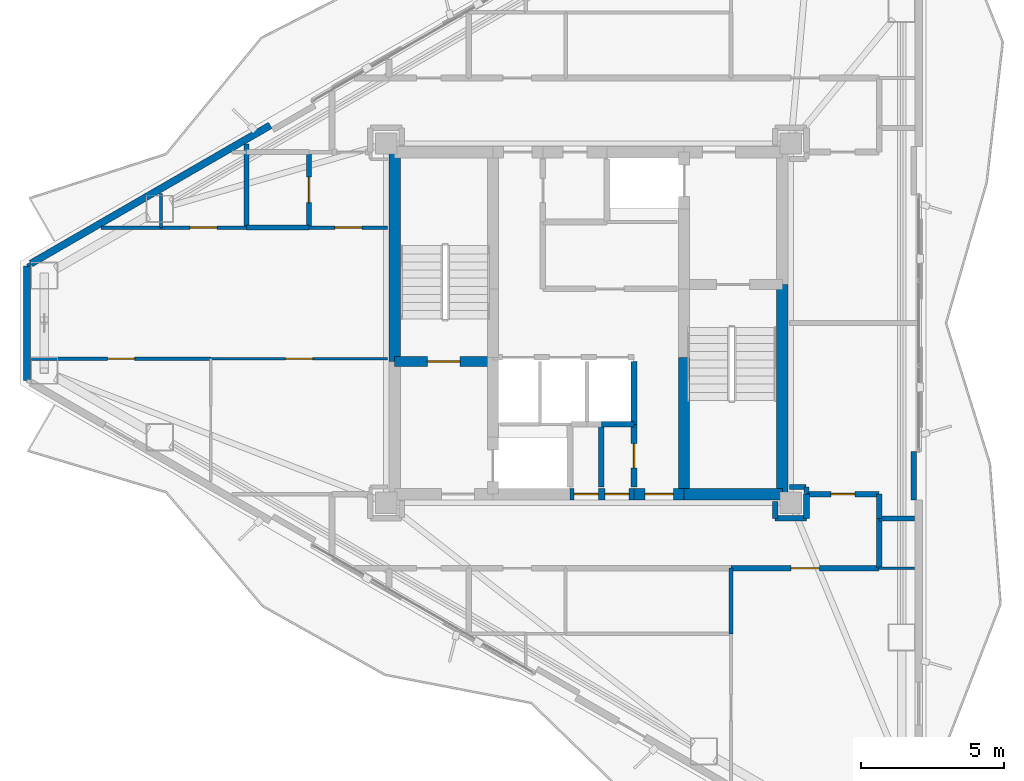
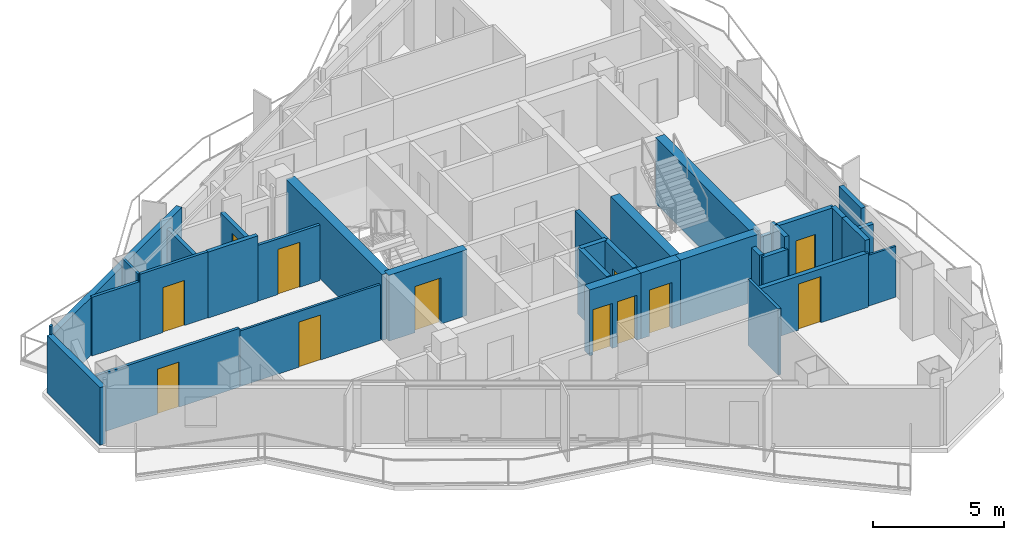
# One storey, part 17 of 22: 36 walls, 12 doors, 12 openings.
"""IFC4 building model written with IfcOpenShell, lengths in metres."""

import ifcopenshell
import ifcopenshell.guid

model = None  # the IFC model being written
_history = None  # IfcOwnerHistory: only IFC2X3 demands one
_inside = {}  # id of a spatial element -> (the spatial element, [elements in it])
_under = {}  # id of a project, library or spatial element -> (it, [spatial elements below it])
_declared = {}  # id of a project -> (the project, [libraries it declares])
_typed = {}  # id of a type object -> (the type object, [elements of that type])
_made_of = {}  # id of a material, layer set ... -> (it, [elements and type objects made of it])


def new_model(schema):
    """Start an empty IFC model of exactly this schema.

    Asked for "IFC4X3", IfcOpenShell would pick the latest addendum, in which some entities
    have other attributes; the version numbers below select the first issue.
    IFC2X3 requires an IfcOwnerHistory on every rooted entity: one is made here for all.
    """
    global model, _history
    if schema == "IFC4X3":
        model = ifcopenshell.file(schema_version=(4, 3, 0, 0))
    else:
        model = ifcopenshell.file(schema=schema)
    _inside.clear()
    _under.clear()
    _declared.clear()
    _typed.clear()
    _made_of.clear()
    _history = None
    if model.schema == "IFC2X3":
        org = make("IfcOrganization", Name="unknown")
        user = make(
            "IfcPersonAndOrganization",
            ThePerson=make("IfcPerson", FamilyName="unknown"),
            TheOrganization=org,
        )
        app = make(
            "IfcApplication",
            ApplicationDeveloper=org,
            Version="unknown",
            ApplicationFullName="unknown",
            ApplicationIdentifier="unknown",
        )
        _history = make(
            "IfcOwnerHistory",
            OwningUser=user,
            OwningApplication=app,
            ChangeAction="ADDED",
            CreationDate=0,
        )
    return model


def make(cls, **values):
    """One entity of the class cls with the attributes given. An attribute that is None is left unset."""
    return model.create_entity(
        cls, **{name: value for name, value in values.items() if value is not None}
    )


def rooted(cls, **values):
    """An entity with a GlobalId (a new one), such as an element, a storey or a relation."""
    return make(cls, GlobalId=ifcopenshell.guid.new(), OwnerHistory=_history, **values)


def si_unit(unit_type, name, prefix=None):
    """IfcSIUnit, for example si_unit("LENGTHUNIT", "METRE", prefix="MILLI")."""
    return make("IfcSIUnit", UnitType=unit_type, Prefix=prefix, Name=name)


def assignment(units):
    """IfcUnitAssignment: the units of a project."""
    return None if units is None else make("IfcUnitAssignment", Units=units)


def point(xyz):
    """IfcCartesianPoint."""
    return None if xyz is None else make("IfcCartesianPoint", Coordinates=xyz)


def direction(xyz):
    """IfcDirection."""
    return None if xyz is None else make("IfcDirection", DirectionRatios=xyz)


def frame(location, z_axis=None, x_axis=None):
    """IfcAxis2Placement3D, a coordinate frame: its origin and axes. An axis left out is left unset."""
    return make(
        "IfcAxis2Placement3D",
        Location=point(location),
        Axis=direction(z_axis),
        RefDirection=direction(x_axis),
    )


def frame_2d(location, x_axis=None):
    """IfcAxis2Placement2D, a coordinate frame in the plane: its origin and x axis."""
    return make(
        "IfcAxis2Placement2D", Location=point(location), RefDirection=direction(x_axis)
    )


def origin():
    """The frame at (0, 0, 0) with its axes left unset."""
    return frame((0.0, 0.0, 0.0))


def place(relative_to, where):
    """IfcLocalPlacement: puts the frame where relative to a parent placement (None: the world)."""
    return make(
        "IfcLocalPlacement", PlacementRelTo=relative_to, RelativePlacement=where
    )


def context(
    kind, dimensions, precision=None, world=None, true_north=None, identifier=None
):
    """IfcGeometricRepresentationContext, for example the 3D "Model" context."""
    return make(
        "IfcGeometricRepresentationContext",
        ContextIdentifier=identifier,
        ContextType=kind,
        CoordinateSpaceDimension=dimensions,
        Precision=precision,
        WorldCoordinateSystem=world,
        TrueNorth=true_north,
    )


def subcontext(parent, identifier, kind, view, scale=None):
    """IfcGeometricRepresentationSubContext, for example "Body" below "Model"."""
    return make(
        "IfcGeometricRepresentationSubContext",
        ContextIdentifier=identifier,
        ContextType=kind,
        ParentContext=parent,
        TargetScale=scale,
        TargetView=view,
    )


def project(units=None, contexts=None):
    """IfcProject with its units and contexts."""
    return rooted(
        "IfcProject",
        Name="project",
        RepresentationContexts=contexts,
        UnitsInContext=assignment(units),
    )


def spatial(cls, under=None, at=None, **own):
    """A site, building, storey or space (cls), placed at a placement, below another one or the project."""
    s = rooted(cls, ObjectPlacement=at, **own)
    if under is not None:
        _under.setdefault(under.id(), (under, []))[1].append(s)
    return s


def profile(cls, at=None, kind="AREA", **sizes):
    """A parametric profile (cls). Its sizes go by their IFC names, for example OverallWidth=200.0."""
    return make(cls, ProfileType=kind, Position=at, **sizes)


def rectangle(**sizes):
    """IfcRectangleProfileDef."""
    return profile("IfcRectangleProfileDef", **sizes)


def extrude(swept, where, along, depth):
    """IfcExtrudedAreaSolid: the profile swept, set in the frame where, extruded along a direction by depth."""
    return make(
        "IfcExtrudedAreaSolid",
        SweptArea=swept,
        Position=where,
        ExtrudedDirection=direction(along),
        Depth=depth,
    )


def shape(context_of_items, identifier, shape_type, items):
    """IfcShapeRepresentation: the items that make up one representation, for example the "Body"."""
    return make(
        "IfcShapeRepresentation",
        ContextOfItems=context_of_items,
        RepresentationIdentifier=identifier,
        RepresentationType=shape_type,
        Items=items,
    )


def material(Name=None, Category=None):
    """IfcMaterial."""
    return make("IfcMaterial", Name=Name, Category=Category)


def layer(
    of_material, thickness, ventilated=None, Name=None, Category=None, Priority=None
):
    """IfcMaterialLayer: one layer of a wall or slab, of a material (None: an air gap)."""
    return make(
        "IfcMaterialLayer",
        Material=of_material,
        LayerThickness=thickness,
        IsVentilated=ventilated,
        Name=Name,
        Category=Category,
        Priority=Priority,
    )


def layer_set(layers, Name=None):
    """IfcMaterialLayerSet."""
    return make("IfcMaterialLayerSet", MaterialLayers=layers, LayerSetName=Name)


def made_of(thing, what):
    """Note that an element or type object is made of a material, layer set ...; save() writes the relation."""
    if what is not None:
        _made_of.setdefault(what.id(), (what, []))[1].append(thing)
    return thing


def type_object(cls, material=None, **own):
    """A type object (cls), such as IfcWallType, which elements share."""
    return made_of(rooted(cls, **own), material)


def element(
    cls,
    number,
    at=None,
    inside=None,
    cuts=None,
    type_object=None,
    material=None,
    context=None,
    identifier="Body",
    shape_type=None,
    held_by="IfcProductDefinitionShape",
    body=None,
    shapes=None,
    **own,
):
    """One element of the class cls, such as IfcWall. Its Tag is "e" and its number.

    at: its placement. inside: the storey or other place that contains it. cuts: it is an
    opening in that element (IfcRelVoidsElement). A single representation is given by context,
    identifier, shape_type and body (its items); several are given by shapes. held_by: the class
    of the entity that holds the representations. save() writes the other relations.
    """
    e = rooted(cls, Tag="e%d" % number, ObjectPlacement=at, **own)
    if body is not None:
        shapes = [shape(context, identifier, shape_type, body)]
    if shapes is not None:
        e.Representation = make(held_by, Representations=shapes)
    if inside is not None:
        _inside.setdefault(inside.id(), (inside, []))[1].append(e)
    if cuts is not None:
        rooted(
            "IfcRelVoidsElement", RelatingBuildingElement=cuts, RelatedOpeningElement=e
        )
    if type_object is not None:
        _typed.setdefault(type_object.id(), (type_object, []))[1].append(e)
    return made_of(e, material)


def fill(opening, filler):
    """IfcRelFillsElement: the door or window that sits in an opening."""
    return rooted(
        "IfcRelFillsElement",
        RelatingOpeningElement=opening,
        RelatedBuildingElement=filler,
    )


def aggregate(whole, parts):
    """IfcRelAggregates: a whole, such as a stair, and the parts it consists of."""
    return rooted("IfcRelAggregates", RelatingObject=whole, RelatedObjects=parts)


def save(model, path):
    """Write the relations noted so far, then the file.

    IfcRelAggregates (storeys below a building ...), IfcRelContainedInSpatialStructure (elements
    in a storey), IfcRelDefinesByType, IfcRelAssociatesMaterial and IfcRelDeclares: one each for
    every whole, place, type object, material and project.
    """
    for whole, parts in _under.values():
        aggregate(whole, parts)
    for where, things in _inside.values():
        rooted(
            "IfcRelContainedInSpatialStructure",
            RelatedElements=things,
            RelatingStructure=where,
        )
    for kind, things in _typed.values():
        rooted("IfcRelDefinesByType", RelatedObjects=things, RelatingType=kind)
    for what, things in _made_of.values():
        rooted("IfcRelAssociatesMaterial", RelatedObjects=things, RelatingMaterial=what)
    for by, libraries in _declared.values():
        rooted("IfcRelDeclares", RelatingContext=by, RelatedDefinitions=libraries)
    model.write(path)


model = new_model("IFC4")

# Units and contexts
model_context = context("Model", 3, precision=1e-05, world=origin(), true_north=direction((0.0, 1.0)))
body_context = subcontext(model_context, "Body", "Model", "MODEL_VIEW")
ifc_project = project(units=[si_unit("LENGTHUNIT", "METRE"), si_unit("AREAUNIT", "SQUARE_METRE"), si_unit("VOLUMEUNIT", "CUBIC_METRE"), si_unit("PLANEANGLEUNIT", "RADIAN"), si_unit("MASSUNIT", "GRAM", prefix="KILO")], contexts=[model_context])

# Site, building, storey
site_placement = place(None, origin())
site = spatial("IfcSite", under=ifc_project, at=site_placement, CompositionType="ELEMENT")
building_placement = place(site_placement, origin())
building = spatial("IfcBuilding", under=site, at=building_placement, Name="Mersakhor Tower and Convention Hall", CompositionType="ELEMENT")
storey_placement = place(building_placement, frame((0.0, 0.0, 188.699951171875)))
storey = spatial("IfcBuildingStorey", under=building, at=storey_placement, Name="L52", CompositionType="ELEMENT", Elevation=188.699951171875)

# Walls
ifc_material_1 = material(Name="Precast concrete C40/50", Category="concrete")
ifc_layer_1 = layer(ifc_material_1, 0.25)
ifc_layer_set_1 = layer_set([ifc_layer_1], Name="Precast concrete C40/50")
wall_type_1 = type_object("IfcWallType", Name="WL-EXT-250", PredefinedType="SOLIDWALL", material=ifc_layer_set_1)
wall_1_placement = place(storey_placement, frame((9.3076171875, 24.73828125, 0.0), z_axis=(0.0, 0.0, 1.0), x_axis=(0.0, 1.0, 0.0)))
element("IfcWall", 1, at=wall_1_placement, inside=storey, type_object=wall_type_1, Name="L52 Chamfer Braced Spandrel Wall C3", PredefinedType="SOLIDWALL", context=body_context, shape_type="SweptSolid", body=[
    extrude(rectangle(XDim=4.0234375, YDim=0.25, at=frame_2d((2.01171875, 0.0))), origin(), (0.0, 0.0, 1.0), 2.68994140625),
])
wall_2_placement = place(storey_placement, frame((9.4375, 28.836669921875, 0.0), z_axis=(0.0, 0.0, 1.0), x_axis=(0.866027133173, 0.499997004599, 0.0)))
element("IfcWall", 2, at=wall_2_placement, inside=storey, type_object=wall_type_1, Name="L52 Exterior Facade Wall F1-B1", PredefinedType="SOLIDWALL", context=body_context, shape_type="SweptSolid", body=[
    extrude(rectangle(XDim=9.69873046875, YDim=0.25, at=frame_2d((4.849365234375, 0.0))), origin(), (0.0, 0.0, 1.0), 2.68994140625),
])
ifc_material_2 = material(Name="Precast concrete C40/50", Category="concrete")
ifc_layer_2 = layer(ifc_material_2, 0.199951171875)
ifc_layer_set_2 = layer_set([ifc_layer_2], Name="Precast concrete C40/50")
wall_type_2 = type_object("IfcWallType", Name="WL-PAR-200", PredefinedType="PARAPET", material=ifc_layer_set_2)
wall_3_placement = place(storey_placement, frame((40.408447265625, 22.25048828125, 0.0), z_axis=(0.0, 0.0, 1.0), x_axis=(0.0, -1.0, 0.0)))
element("IfcWall", 3, at=wall_3_placement, inside=storey, type_object=wall_type_2, Name="L52 Column Pier Cladding Wall F2-C2", PredefinedType="PARAPET", context=body_context, shape_type="SweptSolid", body=[
    extrude(rectangle(XDim=1.699951171875, YDim=0.199951171875, at=frame_2d((0.85009765625, 0.0))), origin(), (0.0, 0.0, 1.0), 2.68994140625),
])

# Wall, opening, door
ifc_material_3 = material(Name="Moisture-resistant acoustic drywall studwork", Category="other")
ifc_layer_3 = layer(ifc_material_3, 0.175048828125)
ifc_layer_set_3 = layer_set([ifc_layer_3], Name="Moisture-resistant acoustic drywall studwork")
wall_type_3 = type_object("IfcWallType", Name="WL-PLM-175", PredefinedType="PLUMBINGWALL", material=ifc_layer_set_3)
wall_4_placement = place(storey_placement, frame((19.199951171875, 30.10009765625, 0.0), z_axis=(0.0, 0.0, 1.0), x_axis=(0.0, 1.0, 0.0)))
wall_4 = element("IfcWall", 4, at=wall_4_placement, inside=storey, type_object=wall_type_3, Name="L52 Interior Partition Wall P-050", PredefinedType="PLUMBINGWALL", context=body_context, shape_type="SweptSolid", body=[
    extrude(rectangle(XDim=2.64990234375, YDim=0.175048828125, at=frame_2d((1.324951171875, 0.0))), origin(), (0.0, 0.0, 1.0), 2.518310546875),
])
opening_1_placement = place(wall_4_placement, frame((0.875, 0.0, 0.0)))
opening_1 = element("IfcOpeningElement", 5, at=opening_1_placement, cuts=wall_4, Name="Opening WD-01", PredefinedType="OPENING", context=body_context, shape_type="SweptSolid", body=[
    extrude(rectangle(XDim=0.89990234375, YDim=2.10009765625, at=frame_2d((0.449951171875, 1.050048828125))), frame((0.0, 0.097412109375, 0.0), z_axis=(0.0, -1.0, 0.0), x_axis=(1.0, 0.0, 0.0)), (0.0, 0.0, 1.0), 0.195068359375),
])
ifc_material_4 = material(Name="Solid-core hardwood leaf in painted steel frame", Category="steel")
door_type_1 = type_object("IfcDoorType", Name="DR-INT-WET-090x210", OperationType="NOTDEFINED", PredefinedType="DOOR", material=ifc_material_4)
door_1_placement = place(opening_1_placement, origin())
door_1 = element("IfcDoor", 6, at=door_1_placement, inside=storey, type_object=door_type_1, Name="L52 L52 Flat W3 Apartment Hall to L52 Flat W3 Bathroom Door", OperationType="SINGLE_SWING_RIGHT", OverallHeight=2.10009765625, OverallWidth=0.89990234375, PredefinedType="DOOR", context=body_context, shape_type="SweptSolid", body=[
    extrude(rectangle(XDim=0.89990234375, YDim=2.10009765625, at=frame_2d((0.449951171875, 1.050048828125))), frame((0.0, 0.02490234375, 0.0), z_axis=(0.0, -1.0, 0.0), x_axis=(1.0, 0.0, 0.0)), (0.0, 0.0, 1.0), 0.050048828125),
])
fill(opening_1, door_1)

# Walls
wall_5_placement = place(storey_placement, frame((36.64990234375, 20.780029296875, 0.0), z_axis=(0.0, 0.0, 1.0), x_axis=(0.0, 1.0, 0.0)))
element("IfcWall", 7, at=wall_5_placement, inside=storey, type_object=wall_type_3, Name="L52 Interior Partition Wall P-057", PredefinedType="PLUMBINGWALL", context=body_context, shape_type="SweptSolid", body=[
    extrude(rectangle(XDim=0.219970703125, YDim=0.175048828125, at=frame_2d((0.10986328125, 0.0))), origin(), (0.0, 0.0, 1.0), 3.070068359375),
])
wall_6_placement = place(storey_placement, frame((36.635009765625, 21.0, 0.0), z_axis=(0.0, 0.0, 1.0), x_axis=(-1.0, 0.0, 0.0)))
element("IfcWall", 8, at=wall_6_placement, inside=storey, type_object=wall_type_3, Name="L52 Interior Partition Wall P-058", PredefinedType="PLUMBINGWALL", context=body_context, shape_type="SweptSolid", body=[
    extrude(rectangle(XDim=0.5849609375, YDim=0.175048828125, at=frame_2d((0.29248046875, 0.0))), origin(), (0.0, 0.0, 1.0), 2.594970703125),
])
wall_7_placement = place(storey_placement, frame((40.439453125, 19.89990234375, 0.0), z_axis=(0.0, 0.0, 1.0), x_axis=(-1.0, 0.0, 0.0)))
element("IfcWall", 9, at=wall_7_placement, inside=storey, type_object=wall_type_3, Name="L52 Interior Partition Wall P-059", PredefinedType="PLUMBINGWALL", context=body_context, shape_type="SweptSolid", body=[
    extrude(rectangle(XDim=1.239501953125, YDim=0.175048828125, at=frame_2d((0.61962890625, 0.0))), origin(), (0.0, 0.0, 1.0), 2.364990234375),
])
wall_8_placement = place(storey_placement, frame((19.199951171875, 30.10009765625, 0.0), z_axis=(0.0, 0.0, 1.0), x_axis=(-1.0, 0.0, 0.0)))
element("IfcWall", 10, at=wall_8_placement, inside=storey, type_object=wall_type_3, Name="L52 Interior Partition Wall P-061", PredefinedType="PLUMBINGWALL", context=body_context, shape_type="SweptSolid", body=[
    extrude(rectangle(XDim=2.199951171875, YDim=0.175048828125, at=frame_2d((1.10009765625, 0.0))), origin(), (0.0, 0.0, 1.0), 3.070068359375),
])
wall_9_placement = place(storey_placement, frame((17.0, 30.10009765625, 0.0), z_axis=(0.0, 0.0, 1.0), x_axis=(0.0, 1.0, 0.0)))
element("IfcWall", 11, at=wall_9_placement, inside=storey, type_object=wall_type_3, Name="L52 Interior Partition Wall P-062", PredefinedType="PLUMBINGWALL", context=body_context, shape_type="SweptSolid", body=[
    extrude(rectangle(XDim=2.930908203125, YDim=0.175048828125, at=frame_2d((1.46533203125, 0.0))), origin(), (0.0, 0.0, 1.0), 2.364990234375),
])
ifc_material_5 = material(Name="Lightweight gypsum partition", Category="other")
ifc_layer_4 = layer(ifc_material_5, 0.10009765625)
ifc_layer_set_4 = layer_set([ifc_layer_4], Name="Lightweight gypsum partition")
wall_type_4 = type_object("IfcWallType", Name="WL-PRT-100", PredefinedType="PARTITIONING", material=ifc_layer_set_4)
wall_10_placement = place(storey_placement, frame((14.0, 30.10009765625, 0.0), z_axis=(0.0, 0.0, 1.0), x_axis=(0.0, 1.0, 0.0)))
element("IfcWall", 12, at=wall_10_placement, inside=storey, type_object=wall_type_4, Name="L52 Interior Partition Wall P-064", PredefinedType="PARTITIONING", context=body_context, shape_type="SweptSolid", body=[
    extrude(rectangle(XDim=1.19873046875, YDim=0.10009765625, at=frame_2d((0.599365234375, 0.0))), origin(), (0.0, 0.0, 1.0), 3.070068359375),
])
wall_11_placement = place(storey_placement, frame((39.199951171875, 18.14990234375, 0.0), z_axis=(0.0, 0.0, 1.0), x_axis=(1.0, 0.0, 0.0)))
element("IfcWall", 13, at=wall_11_placement, inside=storey, type_object=wall_type_4, Name="L52 Interior Partition Wall P-074", PredefinedType="PARTITIONING", context=body_context, shape_type="SweptSolid", body=[
    extrude(rectangle(XDim=1.239501953125, YDim=0.10009765625, at=frame_2d((0.61962890625, 0.0))), origin(), (0.0, 0.0, 1.0), 2.364990234375),
])

# Wall, opening, door
wall_12_placement = place(storey_placement, frame((21.949951171875, 25.5, 0.0), z_axis=(0.0, 0.0, 1.0), x_axis=(-1.0, 0.0, 0.0)))
wall_12 = element("IfcWall", 14, at=wall_12_placement, inside=storey, type_object=wall_type_4, Name="L52 Interior Partition Wall P-090", PredefinedType="PARTITIONING", context=body_context, shape_type="SweptSolid", body=[
    extrude(rectangle(XDim=6.199951171875, YDim=0.10009765625, at=frame_2d((3.10009765625, 0.0))), origin(), (0.0, 0.0, 1.0), 2.594970703125),
])
opening_2_placement = place(wall_12_placement, frame((2.625, 0.0, 0.0)))
opening_2 = element("IfcOpeningElement", 15, at=opening_2_placement, cuts=wall_12, Name="Opening RD-01", PredefinedType="OPENING", context=body_context, shape_type="SweptSolid", body=[
    extrude(rectangle(XDim=0.949951171875, YDim=2.10009765625, at=frame_2d((0.47509765625, 1.050048828125))), frame((0.0, 0.06005859375, 0.0), z_axis=(0.0, -1.0, 0.0), x_axis=(1.0, 0.0, 0.0)), (0.0, 0.0, 1.0), 0.1201171875),
])
ifc_material_6 = material(Name="Solid-core hardwood leaf in painted steel frame", Category="steel")
door_type_2 = type_object("IfcDoorType", Name="DR-INT-RM-095x210", OperationType="NOTDEFINED", PredefinedType="DOOR", material=ifc_material_6)
door_2_placement = place(opening_2_placement, origin())
door_2 = element("IfcDoor", 16, at=door_2_placement, inside=storey, type_object=door_type_2, Name="L52 L52 Flat W3 Living and Dining Room to L52 Flat W3 Study Room Door", OperationType="SINGLE_SWING_RIGHT", OverallHeight=2.10009765625, OverallWidth=0.949951171875, PredefinedType="DOOR", context=body_context, shape_type="SweptSolid", body=[
    extrude(rectangle(XDim=0.949951171875, YDim=2.10009765625, at=frame_2d((0.47509765625, 1.050048828125))), frame((0.0, 0.02490234375, 0.0), z_axis=(0.0, -1.0, 0.0), x_axis=(1.0, 0.0, 0.0)), (0.0, 0.0, 1.0), 0.050048828125),
])
fill(opening_2, door_2)

# Wall
wall_13_placement = place(storey_placement, frame((9.306884765625, 28.761962890625, 0.0), z_axis=(0.0, 0.0, 1.0), x_axis=(0.866239593359, 0.499628829129, 0.0)))
element("IfcWall", 17, at=wall_13_placement, inside=storey, type_object=wall_type_4, Name="L52 Interior Partition Wall P-092", PredefinedType="PARTITIONING", context=body_context, shape_type="SweptSolid", body=[
    extrude(rectangle(XDim=0.150390625, YDim=0.10009765625, at=frame_2d((0.0751953125, 0.0))), origin(), (0.0, 0.0, 1.0), 3.070068359375),
])

# Wall, opening, door
ifc_material_7 = material(Name="Gypsum board acoustic partition", Category="other")
ifc_layer_5 = layer(ifc_material_7, 0.125)
ifc_layer_set_5 = layer_set([ifc_layer_5], Name="Gypsum board acoustic partition")
wall_type_5 = type_object("IfcWallType", Name="WL-PRT-125", PredefinedType="PARTITIONING", material=ifc_layer_set_5)
wall_14_placement = place(storey_placement, frame((21.949951171875, 30.10009765625, 0.0), z_axis=(0.0, 0.0, 1.0), x_axis=(-1.0, 0.0, 0.0)))
wall_14 = element("IfcWall", 18, at=wall_14_placement, inside=storey, type_object=wall_type_5, Name="L52 Interior Partition Wall P-049", PredefinedType="PARTITIONING", context=body_context, shape_type="SweptSolid", body=[
    extrude(rectangle(XDim=2.75, YDim=0.125, at=frame_2d((1.375, 0.0))), origin(), (0.0, 0.0, 1.0), 2.594970703125),
])
opening_3_placement = place(wall_14_placement, frame((0.89990234375, 0.0, 0.0)))
opening_3 = element("IfcOpeningElement", 19, at=opening_3_placement, cuts=wall_14, Name="Opening RD-01", PredefinedType="OPENING", context=body_context, shape_type="SweptSolid", body=[
    extrude(rectangle(XDim=0.949951171875, YDim=2.10009765625, at=frame_2d((0.47509765625, 1.050048828125))), frame((0.0, 0.072509765625, 0.0), z_axis=(0.0, -1.0, 0.0), x_axis=(1.0, 0.0, 0.0)), (0.0, 0.0, 1.0), 0.14501953125),
])
door_3_placement = place(opening_3_placement, origin())
door_3 = element("IfcDoor", 20, at=door_3_placement, inside=storey, type_object=door_type_2, Name="L52 L52 Flat W3 Apartment Hall to L52 Flat W3 Living and Dining Room Door", OperationType="SINGLE_SWING_LEFT", OverallHeight=2.10009765625, OverallWidth=0.949951171875, PredefinedType="DOOR", context=body_context, shape_type="SweptSolid", body=[
    extrude(rectangle(XDim=0.949951171875, YDim=2.10009765625, at=frame_2d((0.47509765625, 1.050048828125))), frame((0.0, 0.02490234375, 0.0), z_axis=(0.0, -1.0, 0.0), x_axis=(1.0, 0.0, 0.0)), (0.0, 0.0, 1.0), 0.050048828125),
])
fill(opening_3, door_3)

wall_15_placement = place(storey_placement, frame((17.0, 30.10009765625, 0.0), z_axis=(0.0, 0.0, 1.0), x_axis=(-1.0, 0.0, 0.0)))
wall_15 = element("IfcWall", 21, at=wall_15_placement, inside=storey, type_object=wall_type_5, Name="L52 Interior Partition Wall P-063", PredefinedType="PARTITIONING", context=body_context, shape_type="SweptSolid", body=[
    extrude(rectangle(XDim=3.0, YDim=0.125, at=frame_2d((1.5, 0.0))), origin(), (0.0, 0.0, 1.0), 3.070068359375),
])
opening_4_placement = place(wall_15_placement, frame((1.02490234375, 0.0, 0.0)))
opening_4 = element("IfcOpeningElement", 22, at=opening_4_placement, cuts=wall_15, Name="Opening RD-01", PredefinedType="OPENING", context=body_context, shape_type="SweptSolid", body=[
    extrude(rectangle(XDim=0.949951171875, YDim=2.10009765625, at=frame_2d((0.47509765625, 1.050048828125))), frame((0.0, 0.072509765625, 0.0), z_axis=(0.0, -1.0, 0.0), x_axis=(1.0, 0.0, 0.0)), (0.0, 0.0, 1.0), 0.14501953125),
])
door_4_placement = place(opening_4_placement, origin())
door_4 = element("IfcDoor", 23, at=door_4_placement, inside=storey, type_object=door_type_2, Name="L52 L52 Flat W3 Kitchen to L52 Flat W3 Living and Dining Room Door", OperationType="SINGLE_SWING_RIGHT", OverallHeight=2.10009765625, OverallWidth=0.949951171875, PredefinedType="DOOR", context=body_context, shape_type="SweptSolid", body=[
    extrude(rectangle(XDim=0.949951171875, YDim=2.10009765625, at=frame_2d((0.47509765625, 1.050048828125))), frame((0.0, 0.02490234375, 0.0), z_axis=(0.0, -1.0, 0.0), x_axis=(1.0, 0.0, 0.0)), (0.0, 0.0, 1.0), 0.050048828125),
])
fill(opening_4, door_4)

# Walls
wall_16_placement = place(storey_placement, frame((34.0, 15.85009765625, 0.0), z_axis=(0.0, 0.0, 1.0), x_axis=(0.0, 1.0, 0.0)))
element("IfcWall", 24, at=wall_16_placement, inside=storey, type_object=wall_type_5, Name="L52 Interior Partition Wall P-073", PredefinedType="PARTITIONING", context=body_context, shape_type="SweptSolid", body=[
    extrude(rectangle(XDim=2.2998046875, YDim=0.125, at=frame_2d((1.14990234375, 0.0))), origin(), (0.0, 0.0, 1.0), 3.070068359375),
])
wall_17_placement = place(storey_placement, frame((11.896484375, 30.10009765625, 0.0), z_axis=(0.0, 0.0, 1.0), x_axis=(1.0, 0.0, 0.0)))
element("IfcWall", 25, at=wall_17_placement, inside=storey, type_object=wall_type_5, Name="L52 Interior Partition Wall P-089", PredefinedType="PARTITIONING", context=body_context, shape_type="SweptSolid", body=[
    extrude(rectangle(XDim=2.103515625, YDim=0.125, at=frame_2d((1.0517578125, 0.0))), origin(), (0.0, 0.0, 1.0), 2.734619140625),
])

# Wall, opening, door
wall_18_placement = place(storey_placement, frame((15.75, 25.5, 0.0), z_axis=(0.0, 0.0, 1.0), x_axis=(-1.0, 0.0, 0.0)))
wall_18 = element("IfcWall", 26, at=wall_18_placement, inside=storey, type_object=wall_type_5, Name="L52 Interior Partition Wall P-091", PredefinedType="PARTITIONING", context=body_context, shape_type="SweptSolid", body=[
    extrude(rectangle(XDim=6.29345703125, YDim=0.125, at=frame_2d((3.146728515625, 0.0))), origin(), (0.0, 0.0, 1.0), 2.734619140625),
])
opening_5_placement = place(wall_18_placement, frame((2.671630859375, 0.0, 0.0)))
opening_5 = element("IfcOpeningElement", 27, at=opening_5_placement, cuts=wall_18, Name="Opening RD-01", PredefinedType="OPENING", context=body_context, shape_type="SweptSolid", body=[
    extrude(rectangle(XDim=0.949951171875, YDim=2.10009765625, at=frame_2d((0.47509765625, 1.050048828125))), frame((0.0, 0.072509765625, 0.0), z_axis=(0.0, -1.0, 0.0), x_axis=(1.0, 0.0, 0.0)), (0.0, 0.0, 1.0), 0.14501953125),
])
door_5_placement = place(opening_5_placement, origin())
door_5 = element("IfcDoor", 28, at=door_5_placement, inside=storey, type_object=door_type_2, Name="L52 L52 Flat W3 Living and Dining Room to L52 Flat W3 Bedroom 1 Door", OperationType="SINGLE_SWING_LEFT", OverallHeight=2.10009765625, OverallWidth=0.949951171875, PredefinedType="DOOR", context=body_context, shape_type="SweptSolid", body=[
    extrude(rectangle(XDim=0.949951171875, YDim=2.10009765625, at=frame_2d((0.47509765625, 1.050048828125))), frame((0.0, 0.02490234375, 0.0), z_axis=(0.0, -1.0, 0.0), x_axis=(1.0, 0.0, 0.0)), (0.0, 0.0, 1.0), 0.050048828125),
])
fill(opening_5, door_5)

# Walls
ifc_material_8 = material(Name="Acoustic concrete blockwork and gypsum board", Category="masonry")
ifc_layer_6 = layer(ifc_material_8, 0.199951171875)
ifc_layer_set_6 = layer_set([ifc_layer_6], Name="Acoustic concrete blockwork and gypsum board")
wall_type_6 = type_object("IfcWallType", Name="WL-PRT-200", PredefinedType="PARTITIONING", material=ifc_layer_set_6)
wall_19_placement = place(storey_placement, frame((30.60009765625, 25.39990234375, 0.0), z_axis=(0.0, 0.0, 1.0), x_axis=(0.0, -1.0, 0.0)))
element("IfcWall", 29, at=wall_19_placement, inside=storey, type_object=wall_type_6, Name="L52 Interior Partition Wall P-009", PredefinedType="PARTITIONING", context=body_context, shape_type="SweptSolid", body=[
    extrude(rectangle(XDim=2.199951171875, YDim=0.199951171875, at=frame_2d((1.10009765625, 0.0))), origin(), (0.0, 0.0, 1.0), 3.070068359375),
])
wall_20_placement = place(storey_placement, frame((30.60009765625, 23.199951171875, 0.0), z_axis=(0.0, 0.0, 1.0), x_axis=(-1.0, 0.0, 0.0)))
element("IfcWall", 30, at=wall_20_placement, inside=storey, type_object=wall_type_6, Name="L52 Interior Partition Wall P-010", PredefinedType="PARTITIONING", context=body_context, shape_type="SweptSolid", body=[
    extrude(rectangle(XDim=1.150146484375, YDim=0.199951171875, at=frame_2d((0.5751953125, 0.0))), origin(), (0.0, 0.0, 1.0), 3.070068359375),
])

# Wall, opening, door
wall_21_placement = place(storey_placement, frame((30.60009765625, 21.0, 0.0), z_axis=(0.0, 0.0, 1.0), x_axis=(0.0, 1.0, 0.0)))
wall_21 = element("IfcWall", 31, at=wall_21_placement, inside=storey, type_object=wall_type_6, Name="L52 Interior Partition Wall P-012", PredefinedType="PARTITIONING", context=body_context, shape_type="SweptSolid", body=[
    extrude(rectangle(XDim=2.199951171875, YDim=0.199951171875, at=frame_2d((1.10009765625, 0.0))), origin(), (0.0, 0.0, 1.0), 3.070068359375),
])
opening_6_placement = place(wall_21_placement, frame((0.675048828125, 0.0, 0.0)))
opening_6 = element("IfcOpeningElement", 32, at=opening_6_placement, cuts=wall_21, Name="Opening SVD-01", PredefinedType="OPENING", context=body_context, shape_type="SweptSolid", body=[
    extrude(rectangle(XDim=0.85009765625, YDim=2.10009765625, at=frame_2d((0.425048828125, 1.050048828125))), frame((0.0, 0.10986328125, 0.0), z_axis=(0.0, -1.0, 0.0), x_axis=(1.0, 0.0, 0.0)), (0.0, 0.0, 1.0), 0.219970703125),
])
ifc_material_9 = material(Name="Fire-rated hardwood leaf and painted steel frame", Category="steel")
door_type_3 = type_object("IfcDoorType", Name="DR-INT-SVC-085x210", OperationType="NOTDEFINED", PredefinedType="DOOR", material=ifc_material_9)
door_6_placement = place(opening_6_placement, origin())
door_6 = element("IfcDoor", 33, at=door_6_placement, inside=storey, type_object=door_type_3, Name="L52 Central Passenger Lift Lobby to Core Maintenance Store Room Door", OperationType="SINGLE_SWING_LEFT", OverallHeight=2.10009765625, OverallWidth=0.85009765625, PredefinedType="DOOR", context=body_context, shape_type="SweptSolid", body=[
    extrude(rectangle(XDim=0.85009765625, YDim=2.10009765625, at=frame_2d((0.425048828125, 1.050048828125))), frame((0.0, 0.02490234375, 0.0), z_axis=(0.0, -1.0, 0.0), x_axis=(1.0, 0.0, 0.0)), (0.0, 0.0, 1.0), 0.050048828125),
])
fill(opening_6, door_6)

# Walls
wall_22_placement = place(storey_placement, frame((35.550048828125, 20.5, 0.0), z_axis=(0.0, 0.0, 1.0), x_axis=(0.0, -1.0, 0.0)))
element("IfcWall", 34, at=wall_22_placement, inside=storey, type_object=wall_type_6, Name="L52 Interior Partition Wall P-036", PredefinedType="PARTITIONING", context=body_context, shape_type="SweptSolid", body=[
    extrude(rectangle(XDim=0.60009765625, YDim=0.199951171875, at=frame_2d((0.300048828125, 0.0))), origin(), (0.0, 0.0, 1.0), 2.594970703125),
])
wall_23_placement = place(storey_placement, frame((35.550048828125, 19.89990234375, 0.0), z_axis=(0.0, 0.0, 1.0), x_axis=(1.0, 0.0, 0.0)))
element("IfcWall", 35, at=wall_23_placement, inside=storey, type_object=wall_type_6, Name="L52 Interior Partition Wall P-037", PredefinedType="PARTITIONING", context=body_context, shape_type="SweptSolid", body=[
    extrude(rectangle(XDim=1.099853515625, YDim=0.199951171875, at=frame_2d((0.5498046875, 0.0))), origin(), (0.0, 0.0, 1.0), 2.518310546875),
])
wall_24_placement = place(storey_placement, frame((36.64990234375, 19.89990234375, 0.0), z_axis=(0.0, 0.0, 1.0), x_axis=(0.0, 1.0, 0.0)))
element("IfcWall", 36, at=wall_24_placement, inside=storey, type_object=wall_type_6, Name="L52 Interior Partition Wall P-038", PredefinedType="PARTITIONING", context=body_context, shape_type="SweptSolid", body=[
    extrude(rectangle(XDim=0.85009765625, YDim=0.199951171875, at=frame_2d((0.425048828125, 0.0))), origin(), (0.0, 0.0, 1.0), 3.070068359375),
])

# Wall, opening, door
wall_25_placement = place(storey_placement, frame((36.64990234375, 20.75, 0.0), z_axis=(0.0, 0.0, 1.0), x_axis=(1.0, 0.0, 0.0)))
wall_25 = element("IfcWall", 37, at=wall_25_placement, inside=storey, type_object=wall_type_6, Name="L52 Interior Partition Wall P-039", PredefinedType="PARTITIONING", context=body_context, shape_type="SweptSolid", body=[
    extrude(rectangle(XDim=2.550048828125, YDim=0.199951171875, at=frame_2d((1.27490234375, 0.0))), origin(), (0.0, 0.0, 1.0), 3.070068359375),
])
opening_7_placement = place(wall_25_placement, frame((0.85009765625, 0.0, 0.0)))
opening_7 = element("IfcOpeningElement", 38, at=opening_7_placement, cuts=wall_25, Name="Opening SVD-01", PredefinedType="OPENING", context=body_context, shape_type="SweptSolid", body=[
    extrude(rectangle(XDim=0.85009765625, YDim=2.10009765625, at=frame_2d((0.425048828125, 1.050048828125))), frame((0.0, 0.10986328125, 0.0), z_axis=(0.0, -1.0, 0.0), x_axis=(1.0, 0.0, 0.0)), (0.0, 0.0, 1.0), 0.219970703125),
])
door_7_placement = place(opening_7_placement, origin())
door_7 = element("IfcDoor", 39, at=door_7_placement, inside=storey, type_object=door_type_3, Name="L52 Residential South Gallery Corridor to L52 East Wing Public Restroom WC Door", OperationType="SINGLE_SWING_RIGHT", OverallHeight=2.10009765625, OverallWidth=0.85009765625, PredefinedType="DOOR", context=body_context, shape_type="SweptSolid", body=[
    extrude(rectangle(XDim=0.85009765625, YDim=2.10009765625, at=frame_2d((0.425048828125, 1.050048828125))), frame((0.0, 0.02490234375, 0.0), z_axis=(0.0, -1.0, 0.0), x_axis=(1.0, 0.0, 0.0)), (0.0, 0.0, 1.0), 0.050048828125),
])
fill(opening_7, door_7)

# Walls
wall_26_placement = place(storey_placement, frame((39.199951171875, 20.75, 0.0), z_axis=(0.0, 0.0, 1.0), x_axis=(0.0, -1.0, 0.0)))
element("IfcWall", 40, at=wall_26_placement, inside=storey, type_object=wall_type_6, Name="L52 Interior Partition Wall P-040", PredefinedType="PARTITIONING", context=body_context, shape_type="SweptSolid", body=[
    extrude(rectangle(XDim=0.85009765625, YDim=0.199951171875, at=frame_2d((0.425048828125, 0.0))), origin(), (0.0, 0.0, 1.0), 3.070068359375),
])
wall_27_placement = place(storey_placement, frame((39.199951171875, 19.89990234375, 0.0), z_axis=(0.0, 0.0, 1.0), x_axis=(0.0, -1.0, 0.0)))
element("IfcWall", 41, at=wall_27_placement, inside=storey, type_object=wall_type_6, Name="L52 Interior Partition Wall P-041", PredefinedType="PARTITIONING", context=body_context, shape_type="SweptSolid", body=[
    extrude(rectangle(XDim=1.75, YDim=0.199951171875, at=frame_2d((0.875, 0.0))), origin(), (0.0, 0.0, 1.0), 3.070068359375),
])

# Wall, opening, door
wall_28_placement = place(storey_placement, frame((39.199951171875, 18.14990234375, 0.0), z_axis=(0.0, 0.0, 1.0), x_axis=(-1.0, 0.0, 0.0)))
wall_28 = element("IfcWall", 42, at=wall_28_placement, inside=storey, type_object=wall_type_6, Name="L52 Interior Partition Wall P-042", PredefinedType="PARTITIONING", context=body_context, shape_type="SweptSolid", body=[
    extrude(rectangle(XDim=5.199951171875, YDim=0.199951171875, at=frame_2d((2.60009765625, 0.0))), origin(), (0.0, 0.0, 1.0), 2.518310546875),
])
opening_8_placement = place(wall_28_placement, frame((2.10009765625, 0.0, 0.0)))
opening_8 = element("IfcOpeningElement", 43, at=opening_8_placement, cuts=wall_28, Name="Opening FD-01", PredefinedType="OPENING", context=body_context, shape_type="SweptSolid", body=[
    extrude(rectangle(XDim=1.0, YDim=2.14990234375, at=frame_2d((0.5, 1.074951171875))), frame((0.0, 0.10986328125, 0.0), z_axis=(0.0, -1.0, 0.0), x_axis=(1.0, 0.0, 0.0)), (0.0, 0.0, 1.0), 0.219970703125),
])
ifc_material_10 = material(Name="Fire-rated hardwood leaf and painted steel frame", Category="steel")
door_type_4 = type_object("IfcDoorType", Name="DR-INT-FLT-100x215", OperationType="NOTDEFINED", PredefinedType="DOOR", material=ifc_material_10)
door_8_placement = place(opening_8_placement, origin())
door_8 = element("IfcDoor", 44, at=door_8_placement, inside=storey, type_object=door_type_4, Name="L52 Residential South Gallery Corridor to L52 South-East Shared Pantry Door", OperationType="SINGLE_SWING_LEFT", OverallHeight=2.14990234375, OverallWidth=1.0, PredefinedType="DOOR", context=body_context, shape_type="SweptSolid", body=[
    extrude(rectangle(XDim=1.0, YDim=2.14990234375, at=frame_2d((0.5, 1.074951171875))), frame((0.0, 0.02490234375, 0.0), z_axis=(0.0, -1.0, 0.0), x_axis=(1.0, 0.0, 0.0)), (0.0, 0.0, 1.0), 0.050048828125),
])
fill(opening_8, door_8)

# Wall
wall_29_placement = place(storey_placement, frame((29.449951171875, 23.199951171875, 0.0), z_axis=(0.0, 0.0, 1.0), x_axis=(0.0, -1.0, 0.0)))
element("IfcWall", 45, at=wall_29_placement, inside=storey, type_object=wall_type_6, Name="L52 Interior Partition Wall P-067", PredefinedType="PARTITIONING", context=body_context, shape_type="SweptSolid", body=[
    extrude(rectangle(XDim=2.199951171875, YDim=0.199951171875, at=frame_2d((1.10009765625, 0.0))), origin(), (0.0, 0.0, 1.0), 3.070068359375),
])

# Wall, opening, door
ifc_material_11 = material(Name="Concrete C50/60", Category="concrete")
ifc_layer_7 = layer(ifc_material_11, 0.35009765625)
ifc_layer_set_7 = layer_set([ifc_layer_7], Name="Concrete C50/60")
wall_type_7 = type_object("IfcWallType", Name="WL-SHR-350", PredefinedType="SHEAR", material=ifc_layer_set_7)
wall_30_placement = place(storey_placement, frame((22.199951171875, 25.39990234375, 0.0), z_axis=(0.0, 0.0, 1.0), x_axis=(1.0, 0.0, 0.0)))
wall_30 = element("IfcWall", 46, at=wall_30_placement, inside=storey, type_object=wall_type_7, Name="L52 Core Wall CS-ST1-S", PredefinedType="SHEAR", context=body_context, shape_type="SweptSolid", body=[
    extrude(rectangle(XDim=3.449951171875, YDim=0.35009765625, at=frame_2d((1.72509765625, 0.0))), origin(), (0.0, 0.0, 1.0), 3.070068359375),
])
opening_9_placement = place(wall_30_placement, frame((1.14990234375, 0.0, 0.0)))
opening_9 = element("IfcOpeningElement", 47, at=opening_9_placement, cuts=wall_30, Name="Opening SD-01", PredefinedType="OPENING", context=body_context, shape_type="SweptSolid", body=[
    extrude(rectangle(XDim=1.14990234375, YDim=2.14990234375, at=frame_2d((0.574951171875, 1.074951171875))), frame((0.0, 0.18505859375, 0.0), z_axis=(0.0, -1.0, 0.0), x_axis=(1.0, 0.0, 0.0)), (0.0, 0.0, 1.0), 0.3701171875),
])
ifc_material_12 = material(Name="Fire-rated hardwood leaf and painted steel frame", Category="steel")
door_type_5 = type_object("IfcDoorType", Name="DR-INT-STAIR-115x215", OperationType="NOTDEFINED", PredefinedType="DOOR", material=ifc_material_12)
door_9_placement = place(opening_9_placement, origin())
door_9 = element("IfcDoor", 48, at=door_9_placement, inside=storey, type_object=door_type_5, Name="L52 Exit Stair ST-1 Enclosure Door", OperationType="SINGLE_SWING_LEFT", OverallHeight=2.14990234375, OverallWidth=1.14990234375, PredefinedType="DOOR", context=body_context, shape_type="SweptSolid", body=[
    extrude(rectangle(XDim=1.14990234375, YDim=2.14990234375, at=frame_2d((0.574951171875, 1.074951171875))), frame((0.0, 0.02490234375, 0.0), z_axis=(0.0, -1.0, 0.0), x_axis=(1.0, 0.0, 0.0)), (0.0, 0.0, 1.0), 0.050048828125),
])
fill(opening_9, door_9)

# Walls
ifc_material_13 = material(Name="Concrete C60/75", Category="concrete")
ifc_layer_8 = layer(ifc_material_13, 0.39990234375)
ifc_layer_set_8 = layer_set([ifc_layer_8], Name="Concrete C60/75")
wall_type_8 = type_object("IfcWallType", Name="WL-SHR-400", PredefinedType="SHEAR", material=ifc_layer_set_8)
for number, where, z_axis, x_axis, name in (
    (49, (22.199951171875, 25.39990234375, 0.0), (0.0, 0.0, 1.0), (0.0, 1.0, 0.0), "L52 Core Wall CW-W2"),
    (50, (35.800048828125, 28.10009765625, 0.0), (0.0, 0.0, 1.0), (0.0, -1.0, 0.0), "L52 Core Wall CW-E2"),
):
    element("IfcWall", number, at=place(storey_placement, frame(where, z_axis=z_axis, x_axis=x_axis)), inside=storey, type_object=wall_type_8, Name=name, PredefinedType="SHEAR", context=body_context, shape_type="SweptSolid", body=[
        extrude(rectangle(XDim=7.35009765625, YDim=0.39990234375, at=frame_2d((3.675048828125, 0.0))), origin(), (0.0, 0.0, 1.0), 3.070068359375),
    ])
wall_31_placement = place(storey_placement, frame((35.800048828125, 20.75, 0.0), z_axis=(0.0, 0.0, 1.0), x_axis=(-1.0, 0.0, 0.0)))
element("IfcWall", 51, at=wall_31_placement, inside=storey, type_object=wall_type_8, Name="L52 Core Wall CW-S1", PredefinedType="SHEAR", context=body_context, shape_type="SweptSolid", body=[
    extrude(rectangle(XDim=3.449951171875, YDim=0.39990234375, at=frame_2d((1.72509765625, 0.0))), origin(), (0.0, 0.0, 1.0), 3.070068359375),
])

# Wall, opening, door
wall_32_placement = place(storey_placement, frame((32.35009765625, 20.75, 0.0), z_axis=(0.0, 0.0, 1.0), x_axis=(-1.0, 0.0, 0.0)))
wall_32 = element("IfcWall", 52, at=wall_32_placement, inside=storey, type_object=wall_type_8, Name="L52 Core Wall CW-S2A", PredefinedType="SHEAR", context=body_context, shape_type="SweptSolid", body=[
    extrude(rectangle(XDim=1.75, YDim=0.39990234375, at=frame_2d((0.875, 0.0))), origin(), (0.0, 0.0, 1.0), 3.070068359375),
])
opening_10_placement = place(wall_32_placement, frame((0.375, 0.0, 0.0)))
opening_10 = element("IfcOpeningElement", 53, at=opening_10_placement, cuts=wall_32, Name="Opening CFD-01", PredefinedType="OPENING", context=body_context, shape_type="SweptSolid", body=[
    extrude(rectangle(XDim=1.0, YDim=2.14990234375, at=frame_2d((0.5, 1.074951171875))), frame((0.0, 0.2099609375, 0.0), z_axis=(0.0, -1.0, 0.0), x_axis=(1.0, 0.0, 0.0)), (0.0, 0.0, 1.0), 0.419921875),
])
ifc_material_14 = material(Name="Fire-rated hardwood leaf and painted steel frame", Category="steel")
door_type_6 = type_object("IfcDoorType", Name="DR-CORE-FD-100x215", OperationType="NOTDEFINED", PredefinedType="DOOR", material=ifc_material_14)
door_10_placement = place(opening_10_placement, origin())
door_10 = element("IfcDoor", 54, at=door_10_placement, inside=storey, type_object=door_type_6, Name="L52 Lift Lobby South Corridor Door", OperationType="SINGLE_SWING_RIGHT", OverallHeight=2.14990234375, OverallWidth=1.0, PredefinedType="DOOR", context=body_context, shape_type="SweptSolid", body=[
    extrude(rectangle(XDim=1.0, YDim=2.14990234375, at=frame_2d((0.5, 1.074951171875))), frame((0.0, 0.02490234375, 0.0), z_axis=(0.0, -1.0, 0.0), x_axis=(1.0, 0.0, 0.0)), (0.0, 0.0, 1.0), 0.050048828125),
])
fill(opening_10, door_10)

# Wall, openings, doors
wall_33_placement = place(storey_placement, frame((30.60009765625, 20.75, 0.0), z_axis=(0.0, 0.0, 1.0), x_axis=(-1.0, 0.0, 0.0)))
wall_33 = element("IfcWall", 55, at=wall_33_placement, inside=storey, type_object=wall_type_8, Name="L52 Core Wall CW-S2B", PredefinedType="SHEAR", context=body_context, shape_type="SweptSolid", body=[
    extrude(rectangle(XDim=2.25, YDim=0.39990234375, at=frame_2d((1.125, 0.0))), origin(), (0.0, 0.0, 1.0), 3.070068359375),
])
opening_11_placement = place(wall_33_placement, frame((1.2548828125, 0.0, 0.0)))
opening_11 = element("IfcOpeningElement", 56, at=opening_11_placement, cuts=wall_33, Name="Opening SVD-01", PredefinedType="OPENING", context=body_context, shape_type="SweptSolid", body=[
    extrude(rectangle(XDim=0.85009765625, YDim=2.10009765625, at=frame_2d((0.425048828125, 1.050048828125))), frame((0.0, 0.2099609375, 0.0), z_axis=(0.0, -1.0, 0.0), x_axis=(1.0, 0.0, 0.0)), (0.0, 0.0, 1.0), 0.419921875),
])
opening_12_placement = place(wall_33_placement, frame((0.169921875, 0.0, 0.0)))
opening_12 = element("IfcOpeningElement", 57, at=opening_12_placement, cuts=wall_33, Name="Opening SVD-01", PredefinedType="OPENING", context=body_context, shape_type="SweptSolid", body=[
    extrude(rectangle(XDim=0.85009765625, YDim=2.10009765625, at=frame_2d((0.425048828125, 1.050048828125))), frame((0.0, 0.2099609375, 0.0), z_axis=(0.0, -1.0, 0.0), x_axis=(1.0, 0.0, 0.0)), (0.0, 0.0, 1.0), 0.419921875),
])
door_11_placement = place(opening_11_placement, origin())
door_11 = element("IfcDoor", 58, at=door_11_placement, inside=storey, type_object=door_type_3, Name="L52 Residential South Gallery Corridor to Sub-Metering Switch Room Door", OperationType="SINGLE_SWING_LEFT", OverallHeight=2.10009765625, OverallWidth=0.85009765625, PredefinedType="DOOR", context=body_context, shape_type="SweptSolid", body=[
    extrude(rectangle(XDim=0.85009765625, YDim=2.10009765625, at=frame_2d((0.425048828125, 1.050048828125))), frame((0.0, 0.02490234375, 0.0), z_axis=(0.0, -1.0, 0.0), x_axis=(1.0, 0.0, 0.0)), (0.0, 0.0, 1.0), 0.050048828125),
])
fill(opening_11, door_11)
door_12_placement = place(opening_12_placement, origin())
door_12 = element("IfcDoor", 59, at=door_12_placement, inside=storey, type_object=door_type_3, Name="L52 Residential South Gallery Corridor to Core Maintenance Store Room Door", OperationType="SINGLE_SWING_RIGHT", OverallHeight=2.10009765625, OverallWidth=0.85009765625, PredefinedType="DOOR", context=body_context, shape_type="SweptSolid", body=[
    extrude(rectangle(XDim=0.85009765625, YDim=2.10009765625, at=frame_2d((0.425048828125, 1.050048828125))), frame((0.0, 0.02490234375, 0.0), z_axis=(0.0, -1.0, 0.0), x_axis=(1.0, 0.0, 0.0)), (0.0, 0.0, 1.0), 0.050048828125),
])
fill(opening_12, door_12)

# Wall
wall_34_placement = place(storey_placement, frame((32.35009765625, 20.75, 0.0), z_axis=(0.0, 0.0, 1.0), x_axis=(0.0, 1.0, 0.0)))
element("IfcWall", 60, at=wall_34_placement, inside=storey, type_object=wall_type_8, Name="L52 Core Wall CS-E-ST2", PredefinedType="SHEAR", context=body_context, shape_type="SweptSolid", body=[
    extrude(rectangle(XDim=4.800048828125, YDim=0.39990234375, at=frame_2d((2.39990234375, 0.0))), origin(), (0.0, 0.0, 1.0), 3.070068359375),
])

save(model, "model.ifc")
